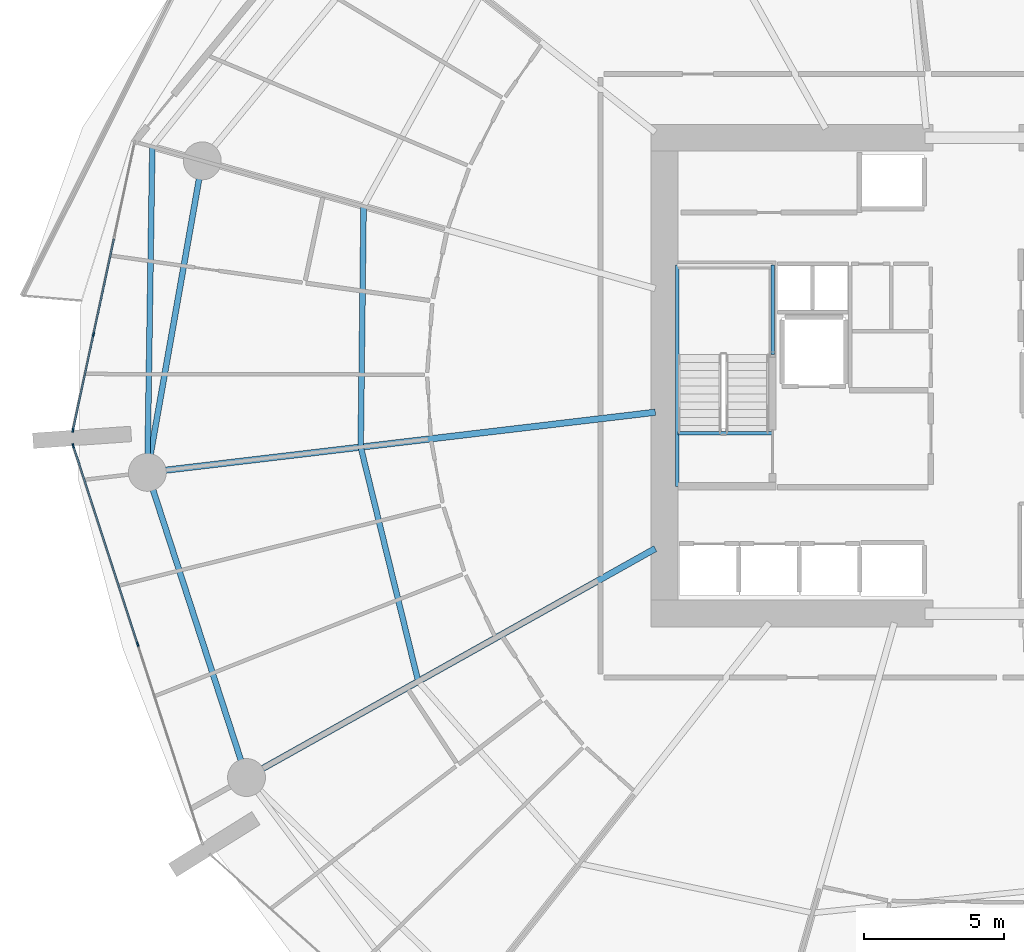
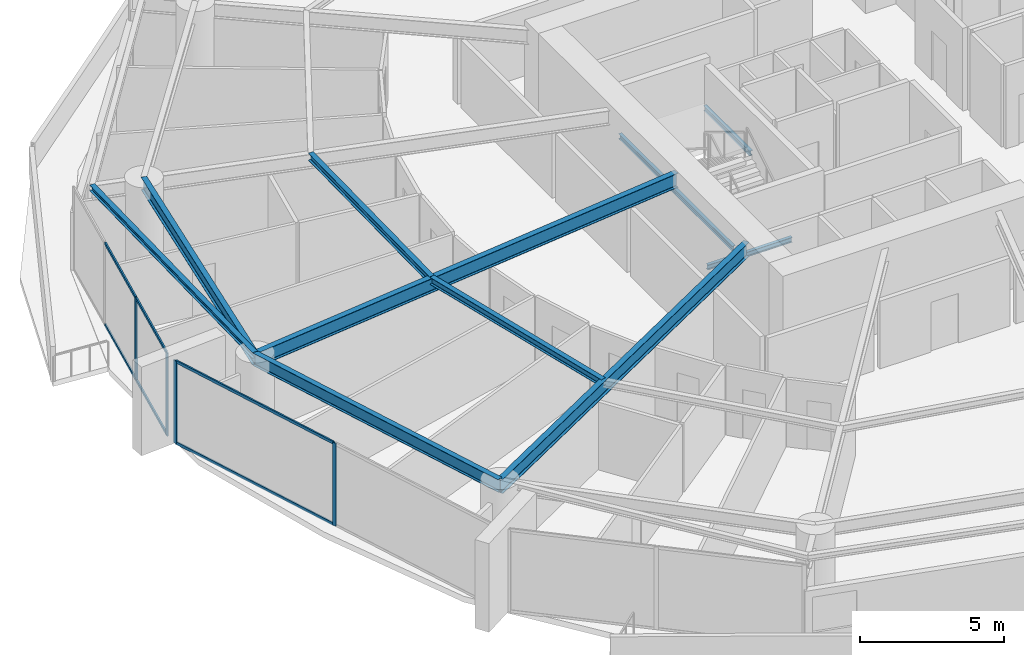
# One storey, part 8 of 32: 10 beams, 10 members, 2 elements without a shape of their own.
"""IFC4 building model written with IfcOpenShell, lengths in metres."""

from ifc_helpers import new_model, si_unit, direction, frame, origin, origin_2d, place, context, subcontext, project, spatial, rectangle, i_section, extrude, material, layer, layer_set, material_profile, profile_set, type_object, element, aggregate, save


model = new_model("IFC4")

# Units and contexts
model_context = context("Model", 3, precision=1e-05, world=origin(), true_north=direction((0.0, 1.0)))
body_context = subcontext(model_context, "Body", "Model", "MODEL_VIEW")
ifc_project = project(units=[si_unit("LENGTHUNIT", "METRE"), si_unit("AREAUNIT", "SQUARE_METRE"), si_unit("VOLUMEUNIT", "CUBIC_METRE"), si_unit("PLANEANGLEUNIT", "RADIAN"), si_unit("MASSUNIT", "GRAM", prefix="KILO")], contexts=[model_context])

# Site, building, storey
site_placement = place(None, origin())
site = spatial("IfcSite", under=ifc_project, at=site_placement, CompositionType="ELEMENT")
building_placement = place(site_placement, origin())
building = spatial("IfcBuilding", under=site, at=building_placement, Name="Kazma Halo Residences", CompositionType="ELEMENT")
storey_placement = place(building_placement, frame((0.0, 0.0, 63.89990234375)))
storey = spatial("IfcBuildingStorey", under=building, at=storey_placement, Name="L15", CompositionType="ELEMENT", Elevation=63.89990234375)

# Beams
ifc_material_1 = material(Name="Steel S355", Category="steel")
ifc_material_profile_1 = material_profile(ifc_material_1, i_section(OverallWidth=0.201904296875, OverallDepth=0.2470703125, WebThickness=0.00732421875, FlangeThickness=0.010986328125, FilletRadius=0.011962890625, at=origin_2d()), Name="W250x49.1")
ifc_profile_set_1 = profile_set([ifc_material_profile_1], Name="Steel S355")
beam_type_1 = type_object("IfcBeamType", Name="BM-BAL-CANT", PredefinedType="BEAM", material=ifc_profile_set_1)
beam_1_placement = place(storey_placement, frame((19.07861328125, 50.15673828125, 3.376708984375), z_axis=(-0.015213846033, -0.999884262747, 0.0), x_axis=(0.999884262747, -0.015213846033, 0.0)))
element("IfcBeam", 1, at=beam_1_placement, inside=storey, type_object=beam_type_1, Name="L15 wave-balcony tie beam 07", PredefinedType="BEAM", context=body_context, shape_type="SweptSolid", body=[
    extrude(i_section(OverallWidth=0.201904296875, OverallDepth=0.2470703125, WebThickness=0.00732421875, FlangeThickness=0.010986328125, FilletRadius=0.011962890625, at=origin_2d()), origin(), (0.0, 0.0, 1.0), 11.602294921875),
])
ifc_material_profile_2 = material_profile(ifc_material_1, i_section(OverallWidth=0.22802734375, OverallDepth=0.60791015625, WebThickness=0.01123046875, FlangeThickness=0.017333984375, FilletRadius=0.01806640625, at=origin_2d()), Name="W610x113")
ifc_profile_set_2 = profile_set([ifc_material_profile_2], Name="Steel S355")
beam_type_2 = type_object("IfcBeamType", Name="BM-RAD-W610", PredefinedType="BEAM", material=ifc_profile_set_2)
beam_2_placement = place(storey_placement, frame((37.0, 40.697998046875, 3.196044921875), z_axis=(-0.993068058728, -0.117540762013, 0.0), x_axis=(0.117540762013, -0.993068058728, 0.0)))
element("IfcBeam", 2, at=beam_2_placement, inside=storey, type_object=beam_type_2, Name="L15 radial floor beam 08", PredefinedType="BEAM", context=body_context, shape_type="SweptSolid", body=[
    extrude(i_section(OverallWidth=0.22802734375, OverallDepth=0.60791015625, WebThickness=0.01123046875, FlangeThickness=0.017333984375, FilletRadius=0.01806640625, at=origin_2d()), origin(), (0.0, 0.0, 1.0), 18.22412109375),
])
beam_3_placement = place(storey_placement, frame((37.0, 35.839599609375, 3.196044921875), z_axis=(-0.872496538947, -0.488620291767, 0.0), x_axis=(0.488620291767, -0.872496538947, 0.0)))
element("IfcBeam", 3, at=beam_3_placement, inside=storey, type_object=beam_type_2, Name="L15 radial floor beam 09", PredefinedType="BEAM", context=body_context, shape_type="SweptSolid", body=[
    extrude(i_section(OverallWidth=0.22802734375, OverallDepth=0.60791015625, WebThickness=0.01123046875, FlangeThickness=0.017333984375, FilletRadius=0.01806640625, at=origin_2d()), origin(), (0.0, 0.0, 1.0), 16.693359375),
])
ifc_material_profile_3 = material_profile(ifc_material_1, i_section(OverallWidth=0.202880859375, OverallDepth=0.302978515625, WebThickness=0.007568359375, FlangeThickness=0.01318359375, FilletRadius=0.013916015625, at=origin_2d()), Name="W310x60")
ifc_profile_set_3 = profile_set([ifc_material_profile_3], Name="Steel S355")
beam_type_3 = type_object("IfcBeamType", Name="BM-SEC-W310A", PredefinedType="JOIST", material=ifc_profile_set_3)
beam_4_placement = place(storey_placement, frame((26.605712890625, 48.033935546875, 3.3486328125), z_axis=(-0.011952697998, -0.999928563954, 0.0), x_axis=(0.999928563954, -0.011952697998, 0.0)))
element("IfcBeam", 4, at=beam_4_placement, inside=storey, type_object=beam_type_3, Name="L15 circumferential floor joist 07", PredefinedType="JOIST", context=body_context, shape_type="SweptSolid", body=[
    extrude(i_section(OverallWidth=0.202880859375, OverallDepth=0.302978515625, WebThickness=0.007568359375, FlangeThickness=0.01318359375, FilletRadius=0.013916015625, at=origin_2d()), origin(), (0.0, 0.0, 1.0), 8.578857421875),
])
beam_5_placement = place(storey_placement, frame((26.503173828125, 39.455810546875, 3.3486328125), z_axis=(0.238409585139, -0.971164697523, 0.0), x_axis=(0.971164697523, 0.238409585139, 0.0)))
element("IfcBeam", 5, at=beam_5_placement, inside=storey, type_object=beam_type_3, Name="L15 circumferential floor joist 08", PredefinedType="JOIST", context=body_context, shape_type="SweptSolid", body=[
    extrude(i_section(OverallWidth=0.202880859375, OverallDepth=0.302978515625, WebThickness=0.007568359375, FlangeThickness=0.01318359375, FilletRadius=0.013916015625, at=origin_2d()), origin(), (0.0, 0.0, 1.0), 8.5947265625),
])
ifc_material_profile_4 = material_profile(ifc_material_1, i_section(OverallWidth=0.208984375, OverallDepth=0.532958984375, WebThickness=0.01025390625, FlangeThickness=0.015625, FilletRadius=0.01611328125, at=origin_2d()), Name="W530x92")
ifc_profile_set_4 = profile_set([ifc_material_profile_4], Name="Steel S355")
beam_type_4 = type_object("IfcBeamType", Name="BM-SPN-W530", PredefinedType="BEAM", material=ifc_profile_set_4)
beam_6_placement = place(storey_placement, frame((20.859130859375, 49.654541015625, 3.233642578125), z_axis=(-0.173651864005, -0.984807103004, 0.0), x_axis=(0.984807103004, -0.173651864005, 0.0)))
element("IfcBeam", 6, at=beam_6_placement, inside=storey, type_object=beam_type_4, Name="L15 perimeter ring beam 07", PredefinedType="BEAM", context=body_context, shape_type="SweptSolid", body=[
    extrude(i_section(OverallWidth=0.208984375, OverallDepth=0.532958984375, WebThickness=0.01025390625, FlangeThickness=0.015625, FilletRadius=0.01611328125, at=origin_2d()), origin(), (0.0, 0.0, 1.0), 11.269775390625),
])
beam_7_placement = place(storey_placement, frame((18.902099609375, 38.555908203125, 3.233642578125), z_axis=(0.309024264898, -0.951054153928, 0.0), x_axis=(0.951054153928, 0.309024264898, 0.0)))
element("IfcBeam", 7, at=beam_7_placement, inside=storey, type_object=beam_type_4, Name="L15 perimeter ring beam 08", PredefinedType="BEAM", context=body_context, shape_type="SweptSolid", body=[
    extrude(i_section(OverallWidth=0.208984375, OverallDepth=0.532958984375, WebThickness=0.01025390625, FlangeThickness=0.015625, FilletRadius=0.01611328125, at=origin_2d()), origin(), (0.0, 0.0, 1.0), 11.4326171875),
])
ifc_material_profile_5 = material_profile(ifc_material_1, i_section(OverallWidth=0.133056640625, OverallDepth=0.20703125, WebThickness=0.005859375, FlangeThickness=0.00830078125, FilletRadius=0.010009765625, at=origin_2d()), Name="W200x26.6")
ifc_profile_set_5 = profile_set([ifc_material_profile_5], Name="Steel S355")
beam_type_5 = type_object("IfcBeamType", Name="BM-TRIM-W200", PredefinedType="BEAM", material=ifc_profile_set_5)
beam_8_placement = place(storey_placement, frame((37.800048828125, 39.949951171875, -0.35986328125), z_axis=(1.0, 0.0, 0.0), x_axis=(0.0, 1.0, 0.0)))
element("IfcBeam", 8, at=beam_8_placement, inside=storey, type_object=beam_type_5, Name="L15 ST-01 floor landing support beam", PredefinedType="BEAM", context=body_context, shape_type="SweptSolid", body=[
    extrude(i_section(OverallWidth=0.133056640625, OverallDepth=0.20703125, WebThickness=0.005859375, FlangeThickness=0.00830078125, FilletRadius=0.010009765625, at=origin_2d()), origin(), (0.0, 0.0, 1.0), 3.3798828125),
])
beam_9_placement = place(storey_placement, frame((37.780029296875, 38.06005859375, 1.570068359375), z_axis=(0.0, 1.0, 0.0), x_axis=(-1.0, 0.0, 0.0)))
element("IfcBeam", 9, at=beam_9_placement, inside=storey, type_object=beam_type_5, Name="L15 ST-01 landing west wall ledger", PredefinedType="BEAM", context=body_context, shape_type="SweptSolid", body=[
    extrude(i_section(OverallWidth=0.133056640625, OverallDepth=0.20703125, WebThickness=0.005859375, FlangeThickness=0.00830078125, FilletRadius=0.010009765625, at=origin_2d()), origin(), (0.0, 0.0, 1.0), 7.8798828125),
])
beam_10_placement = place(storey_placement, frame((41.179931640625, 42.75, 1.570068359375), z_axis=(0.0, 1.0, 0.0), x_axis=(-1.0, 0.0, 0.0)))
element("IfcBeam", 10, at=beam_10_placement, inside=storey, type_object=beam_type_5, Name="L15 ST-01 landing east wall ledger", PredefinedType="BEAM", context=body_context, shape_type="SweptSolid", body=[
    extrude(i_section(OverallWidth=0.133056640625, OverallDepth=0.20703125, WebThickness=0.005859375, FlangeThickness=0.00830078125, FilletRadius=0.010009765625, at=origin_2d()), origin(), (0.0, 0.0, 1.0), 3.18994140625),
])

# Curtain wall, members
ifc_material_2 = material(Name="Aluminium AW-6063 T6 and Triple-Silver Low-E Glass", Category="aluminium")
ifc_layer = layer(ifc_material_2, 0.159912109375)
ifc_layer_set = layer_set([ifc_layer], Name="Aluminium AW-6063 T6 and Triple-Silver Low-E Glass")
curtain_wall_type = type_object("IfcCurtainWallType", Name="CW-SYS-2", PredefinedType="NOTDEFINED", material=ifc_layer_set)
curtain_wall_1_placement = place(storey_placement, origin())
curtain_wall_1 = element("IfcCurtainWall", 11, at=curtain_wall_1_placement, inside=storey, type_object=curtain_wall_type, Name="L15 unitised curtain wall B07", PredefinedType="NOTDEFINED")
ifc_material_3 = material(Name="Aluminium AW-6063 T6", Category="aluminium")
ifc_material_profile_6 = material_profile(ifc_material_3, rectangle(XDim=0.06005859375, YDim=0.159912109375, at=origin_2d()), Name="CWM-60x160")
ifc_profile_set_6 = profile_set([ifc_material_profile_6], Name="Aluminium AW-6063 T6")
member_type_1 = type_object("IfcMemberType", Name="CW-SYS-2-MUL", PredefinedType="MULLION", material=ifc_profile_set_6)
member_1_placement = place(storey_placement, frame((16.980712890625, 43.46435546875, 0.0), z_axis=(0.0, 0.0, 1.0), x_axis=(0.977779215096, -0.209637321406, 0.0)))
member_1 = element("IfcMember", 12, at=member_1_placement, type_object=member_type_1, Name="CWS-2 mullion 3", PredefinedType="MULLION", context=body_context, shape_type="SweptSolid", body=[
    extrude(rectangle(XDim=0.06005859375, YDim=0.159912109375, at=origin_2d()), origin(), (0.0, 0.0, 1.0), 3.5),
])
member_2_placement = place(storey_placement, frame((16.25048828125, 40.059326171875, 0.0), z_axis=(0.0, 0.0, 1.0), x_axis=(0.977779215096, -0.209637321406, 0.0)))
member_2 = element("IfcMember", 13, at=member_2_placement, type_object=member_type_1, Name="CWS-2 mullion 4", PredefinedType="MULLION", context=body_context, shape_type="SweptSolid", body=[
    extrude(rectangle(XDim=0.06005859375, YDim=0.159912109375, at=origin_2d()), origin(), (0.0, 0.0, 1.0), 3.5),
])

curtain_wall_2_placement = place(storey_placement, origin())
curtain_wall_2 = element("IfcCurtainWall", 14, at=curtain_wall_2_placement, inside=storey, type_object=curtain_wall_type, Name="L15 unitised curtain wall B08", PredefinedType="NOTDEFINED")
member_3_placement = place(storey_placement, frame((16.26171875, 39.500732421875, 0.0), z_axis=(0.0, 0.0, 1.0), x_axis=(0.95105652404, 0.309016970539, 0.0)))
member_3 = element("IfcMember", 15, at=member_3_placement, type_object=member_type_1, Name="CWS-2 mullion 1", PredefinedType="MULLION", context=body_context, shape_type="SweptSolid", body=[
    extrude(rectangle(XDim=0.06005859375, YDim=0.159912109375, at=origin_2d()), origin(), (0.0, 0.0, 1.0), 3.5),
])
member_4_placement = place(storey_placement, frame((18.55810546875, 32.43359375, 0.0), z_axis=(0.0, 0.0, 1.0), x_axis=(0.95105652404, 0.309016970539, 0.0)))
member_4 = element("IfcMember", 16, at=member_4_placement, type_object=member_type_1, Name="CWS-2 mullion 2", PredefinedType="MULLION", context=body_context, shape_type="SweptSolid", body=[
    extrude(rectangle(XDim=0.06005859375, YDim=0.159912109375, at=origin_2d()), origin(), (0.0, 0.0, 1.0), 3.5),
])

# Member
ifc_material_profile_7 = material_profile(ifc_material_3, rectangle(XDim=0.06005859375, YDim=0.1201171875, at=origin_2d()), Name="CWT-60x120")
ifc_profile_set_7 = profile_set([ifc_material_profile_7], Name="Aluminium AW-6063 T6")
member_type_2 = type_object("IfcMemberType", Name="CW-SYS-2-TRN", PredefinedType="USERDEFINED", material=ifc_profile_set_7)
member_5_placement = place(storey_placement, frame((17.710693359375, 46.869384765625, 0.030029296875), z_axis=(-0.209669136217, -0.977772393412, 0.0), x_axis=(0.977772393412, -0.209669136217, 0.0)))
member_5 = element("IfcMember", 17, at=member_5_placement, type_object=member_type_2, Name="CWS-2 transom 2.1", ObjectType="TRANSOM", PredefinedType="USERDEFINED", context=body_context, shape_type="SweptSolid", body=[
    extrude(rectangle(XDim=0.06005859375, YDim=0.1201171875, at=origin_2d()), origin(), (0.0, 0.0, 1.0), 3.452392578125),
])

member_6_placement = place(storey_placement, frame((17.710693359375, 46.869384765625, 3.47021484375), z_axis=(-0.209669136217, -0.977772393412, 0.0), x_axis=(0.977772393412, -0.209669136217, 0.0)))
member_6 = element("IfcMember", 18, at=member_6_placement, type_object=member_type_2, Name="CWS-2 transom 2.2", ObjectType="TRANSOM", PredefinedType="USERDEFINED", context=body_context, shape_type="SweptSolid", body=[
    extrude(rectangle(XDim=0.06005859375, YDim=0.1201171875, at=origin_2d()), origin(), (0.0, 0.0, 1.0), 3.452392578125),
])

member_7_placement = place(storey_placement, frame((16.974365234375, 43.434814453125, 0.030029296875), z_axis=(-0.209665500897, -0.977773172946, 0.0), x_axis=(0.977773172946, -0.209665500897, 0.0)))
member_7 = element("IfcMember", 19, at=member_7_placement, type_object=member_type_2, Name="CWS-2 transom 3.1", ObjectType="TRANSOM", PredefinedType="USERDEFINED", context=body_context, shape_type="SweptSolid", body=[
    extrude(rectangle(XDim=0.06005859375, YDim=0.1201171875, at=origin_2d()), origin(), (0.0, 0.0, 1.0), 3.42236328125),
])

member_8_placement = place(storey_placement, frame((16.974365234375, 43.434814453125, 3.47021484375), z_axis=(-0.209665500897, -0.977773172946, 0.0), x_axis=(0.977773172946, -0.209665500897, 0.0)))
member_8 = element("IfcMember", 20, at=member_8_placement, type_object=member_type_2, Name="CWS-2 transom 3.2", ObjectType="TRANSOM", PredefinedType="USERDEFINED", context=body_context, shape_type="SweptSolid", body=[
    extrude(rectangle(XDim=0.06005859375, YDim=0.1201171875, at=origin_2d()), origin(), (0.0, 0.0, 1.0), 3.42236328125),
])

aggregate(curtain_wall_1, [member_1, member_2, member_5, member_6, member_7, member_8])

member_9_placement = place(storey_placement, frame((16.27099609375, 39.47216796875, 0.030029296875), z_axis=(0.309034393795, -0.951050862705, 0.0), x_axis=(0.951050862705, 0.309034393795, 0.0)))
member_9 = element("IfcMember", 21, at=member_9_placement, type_object=member_type_2, Name="CWS-2 transom 1.1", ObjectType="TRANSOM", PredefinedType="USERDEFINED", context=body_context, shape_type="SweptSolid", body=[
    extrude(rectangle(XDim=0.06005859375, YDim=0.1201171875, at=origin_2d()), origin(), (0.0, 0.0, 1.0), 7.370849609375),
])

member_10_placement = place(storey_placement, frame((16.27099609375, 39.47216796875, 3.47021484375), z_axis=(0.309034393795, -0.951050862705, 0.0), x_axis=(0.951050862705, 0.309034393795, 0.0)))
member_10 = element("IfcMember", 22, at=member_10_placement, type_object=member_type_2, Name="CWS-2 transom 1.2", ObjectType="TRANSOM", PredefinedType="USERDEFINED", context=body_context, shape_type="SweptSolid", body=[
    extrude(rectangle(XDim=0.06005859375, YDim=0.1201171875, at=origin_2d()), origin(), (0.0, 0.0, 1.0), 7.370849609375),
])

aggregate(curtain_wall_2, [member_3, member_4, member_9, member_10])

save(model, "model.ifc")
